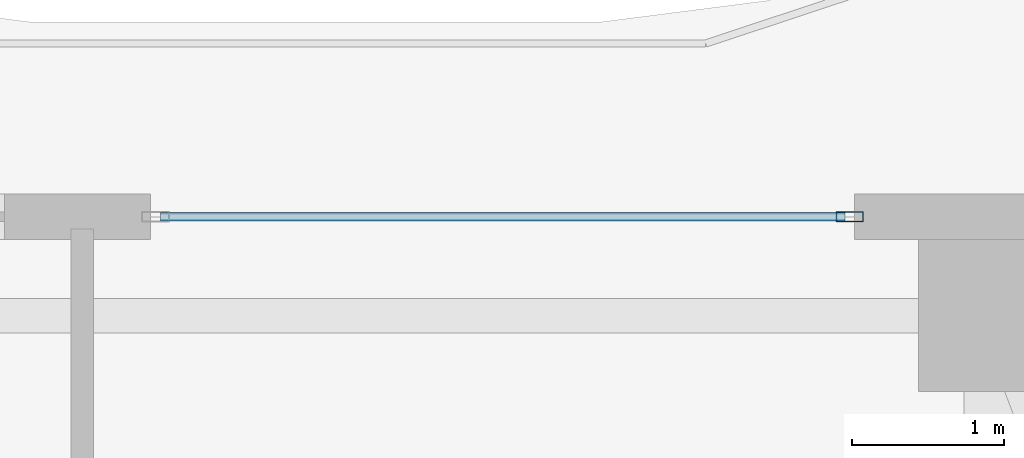
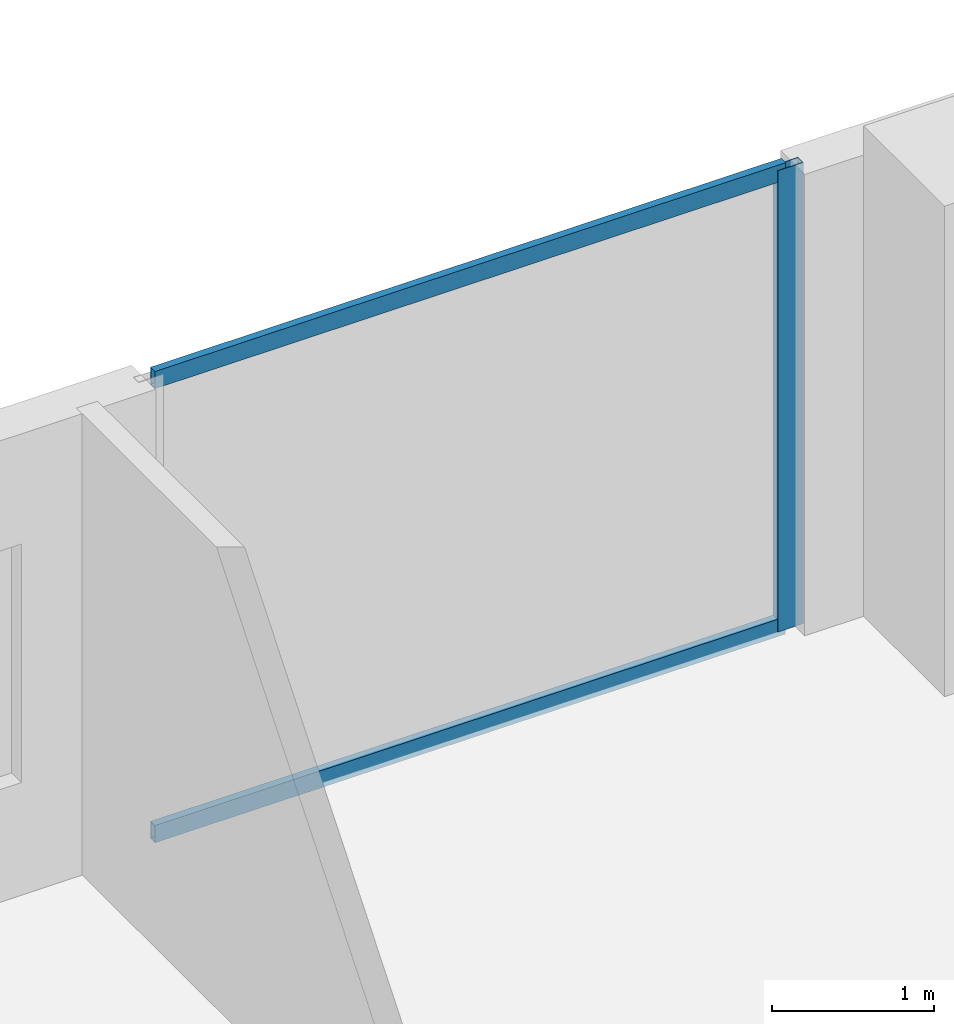
# One storey, part 16 of 25: 3 members, 1 element without a shape of its own.
"""IFC4 building model written with IfcOpenShell, lengths in metres."""

from ifc_helpers import new_model, si_unit, direction, frame, origin, origin_2d, place, context, subcontext, project, spatial, hollow_rectangle, extrude, material, layer, layer_set, material_profile, profile_set, type_object, element, aggregate, save


model = new_model("IFC4")

# Units and contexts
model_context = context("Model", 3, precision=1e-05, world=origin(), true_north=direction((0.0, 1.0)))
body_context = subcontext(model_context, "Body", "Model", "MODEL_VIEW")
ifc_project = project(units=[si_unit("LENGTHUNIT", "METRE"), si_unit("AREAUNIT", "SQUARE_METRE"), si_unit("VOLUMEUNIT", "CUBIC_METRE"), si_unit("PLANEANGLEUNIT", "RADIAN"), si_unit("MASSUNIT", "GRAM", prefix="KILO")], contexts=[model_context])

# Site, building, storey
site_placement = place(None, origin())
site = spatial("IfcSite", under=ifc_project, at=site_placement, CompositionType="ELEMENT")
building_placement = place(site_placement, origin())
building = spatial("IfcBuilding", under=site, at=building_placement, Name="Zuhayl Quay Hotel", CompositionType="ELEMENT")
storey_placement = place(building_placement, frame((0.0, 0.0, 243.35009765625)))
storey = spatial("IfcBuildingStorey", under=building, at=storey_placement, Name="L61", CompositionType="ELEMENT", Elevation=243.35009765625)

# Curtain wall, members
ifc_material_1 = material(Name="Anodised Aluminium 6063-T6", Category="aluminium")
ifc_layer = layer(ifc_material_1, 0.169921875, Name="Anodised Aluminium 6063-T6", Category="aluminium")
ifc_layer_set = layer_set([ifc_layer], Name="Anodised Aluminium 6063-T6")
curtain_wall_type = type_object("IfcCurtainWallType", Name="CW_SYS_Z4", PredefinedType="USERDEFINED", material=ifc_layer_set)
curtain_wall_placement = place(storey_placement, origin())
curtain_wall = element("IfcCurtainWall", 1, at=curtain_wall_placement, inside=storey, type_object=curtain_wall_type, Name="L61 Curtain Wall ENV_L61_N_CW1", ObjectType="UNITISED CURTAIN WALL", PredefinedType="USERDEFINED")
ifc_material_2 = material(Name="Black-anodised aluminium 6063-T6", Category="aluminium")
ifc_material_profile_1 = material_profile(ifc_material_2, hollow_rectangle(XDim=0.06494140625, YDim=0.179931640625, WallThickness=0.00341796875, at=origin_2d()), Name="ALU180X65")
ifc_profile_set_1 = profile_set([ifc_material_profile_1], Name="Black-anodised aluminium 6063-T6")
member_type_1 = type_object("IfcMemberType", Name="MB_CW_MUL_180", PredefinedType="MULLION", material=ifc_profile_set_1)
member_1_placement = place(storey_placement, frame((12.847412109375, 39.0, 0.0), z_axis=(0.0, 0.0, 1.0), x_axis=(0.0, 1.0, 0.0)))
member_1 = element("IfcMember", 2, at=member_1_placement, type_object=member_type_1, Name="CW-Z4 mullion 2", PredefinedType="MULLION", context=body_context, shape_type="SweptSolid", body=[
    extrude(hollow_rectangle(XDim=0.06494140625, YDim=0.179931640625, WallThickness=0.00341796875, at=origin_2d()), origin(), (0.0, 0.0, 1.0), 3.47998046875),
])
ifc_material_profile_2 = material_profile(ifc_material_2, hollow_rectangle(XDim=0.054931640625, YDim=0.1298828125, WallThickness=0.0029296875, at=origin_2d()), Name="ALU130X55")
ifc_profile_set_2 = profile_set([ifc_material_profile_2], Name="Black-anodised aluminium 6063-T6")
member_type_2 = type_object("IfcMemberType", Name="MB_CW_TRN_130", PredefinedType="USERDEFINED", material=ifc_profile_set_2)
member_2_placement = place(storey_placement, frame((8.31494140625, 39.0, 0.02734375), z_axis=(1.0, 0.0, 0.0), x_axis=(0.0, 1.0, 0.0)))
member_2 = element("IfcMember", 3, at=member_2_placement, type_object=member_type_2, Name="CW-Z4 transom 1.1", ObjectType="TRANSOM", PredefinedType="USERDEFINED", context=body_context, shape_type="SweptSolid", body=[
    extrude(hollow_rectangle(XDim=0.054931640625, YDim=0.1298828125, WallThickness=0.0029296875, at=origin_2d()), origin(), (0.0, 0.0, 1.0), 4.5),
])
member_3_placement = place(storey_placement, frame((8.31494140625, 39.0, 3.452392578125), z_axis=(1.0, 0.0, 0.0), x_axis=(0.0, 1.0, 0.0)))
member_3 = element("IfcMember", 4, at=member_3_placement, type_object=member_type_2, Name="CW-Z4 transom 1.2", ObjectType="TRANSOM", PredefinedType="USERDEFINED", context=body_context, shape_type="SweptSolid", body=[
    extrude(hollow_rectangle(XDim=0.054931640625, YDim=0.1298828125, WallThickness=0.0029296875, at=origin_2d()), origin(), (0.0, 0.0, 1.0), 4.5),
])
aggregate(curtain_wall, [member_1, member_2, member_3])

save(model, "model.ifc")
